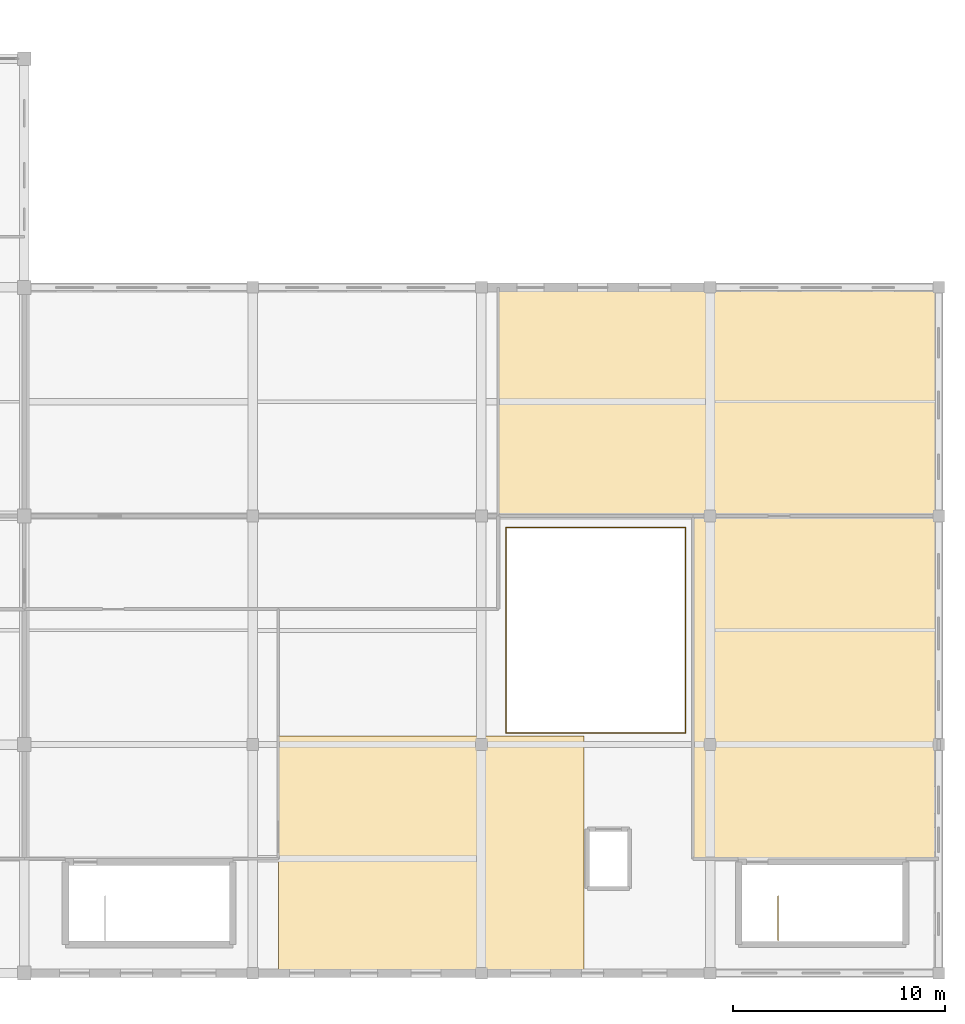
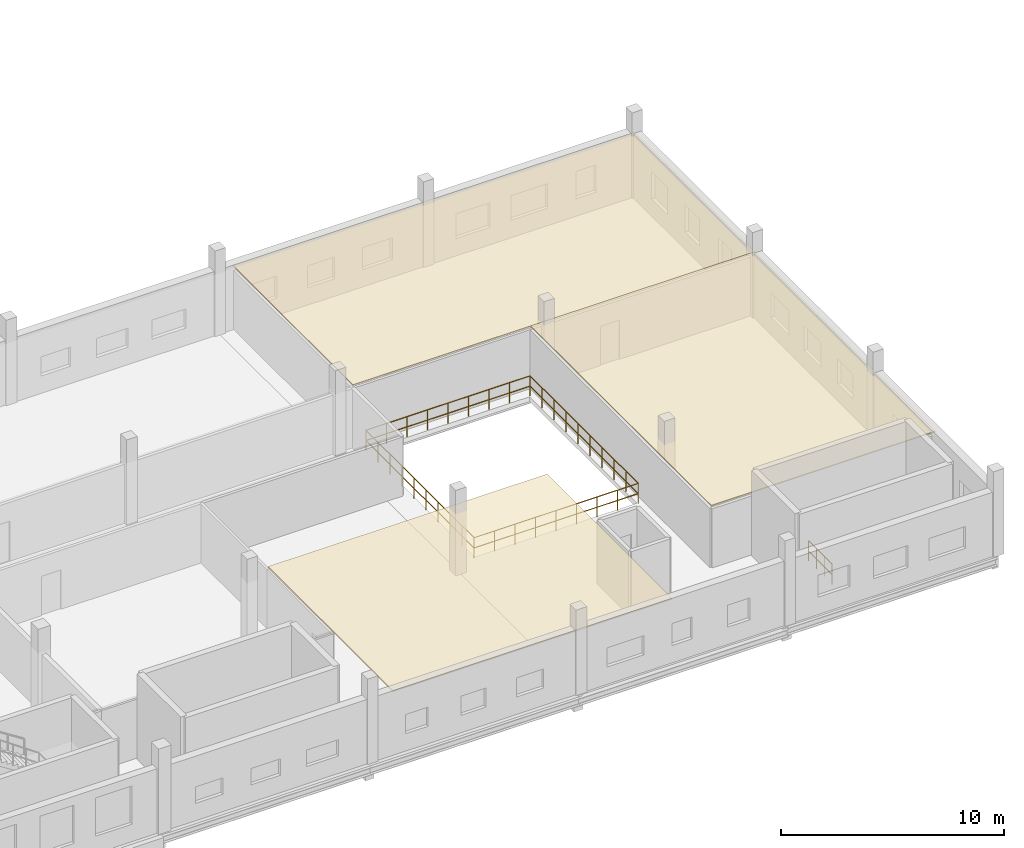
# One storey, part 24 of 24: 3 coverings, 2 railings.
"""IFC4 building model written with IfcOpenShell, lengths in metres."""

from ifc_helpers import new_model, si_unit, direction, frame, origin, origin_2d, place, context, subcontext, project, spatial, polyline, circle, outline, extrude, material, layer, layer_set, type_object, element, save


model = new_model("IFC4")

# Units and contexts
model_context = context("Model", 3, precision=1e-05, world=origin(), true_north=direction((0.0, 1.0)))
body_context = subcontext(model_context, "Body", "Model", "MODEL_VIEW")
ifc_project = project(units=[si_unit("LENGTHUNIT", "METRE"), si_unit("AREAUNIT", "SQUARE_METRE"), si_unit("VOLUMEUNIT", "CUBIC_METRE"), si_unit("PLANEANGLEUNIT", "RADIAN"), si_unit("MASSUNIT", "GRAM", prefix="KILO")], contexts=[model_context])

# Site, building, storey
site_placement = place(None, origin())
site = spatial("IfcSite", under=ifc_project, at=site_placement, CompositionType="ELEMENT")
building_placement = place(site_placement, origin())
building = spatial("IfcBuilding", under=site, at=building_placement, Name="Zwinboog Wholesale Market", CompositionType="ELEMENT")
storey_placement = place(building_placement, frame((0.0, 0.0, 10.080078125)))
storey = spatial("IfcBuildingStorey", under=building, at=storey_placement, Name="L02", CompositionType="ELEMENT", Elevation=10.080078125)

# Railings
ifc_material_1 = material(Name="Steel S355", Category="steel")
railing_type = type_object("IfcRailingType", Name="RLT-INT-GUARD", PredefinedType="BALUSTRADE", material=ifc_material_1)
railing_1_placement = place(storey_placement, frame((208.419921875, 3.639892578125, 0.0)))
element("IfcRailing", 1, at=railing_1_placement, inside=storey, type_object=railing_type, Name="GR-02 (RLG-ST-08B-GTOP)", PredefinedType="BALUSTRADE", context=body_context, shape_type="SweptSolid", body=[
    extrude(circle(Radius=0.02392578125, at=origin_2d()), frame((0.0, 0.0, 1.09619140625), z_axis=(0.0, -1.0, 0.0), x_axis=(1.0, 0.0, 0.0)), (0.0, 0.0, 1.0), 2.099853515625),
    extrude(circle(Radius=0.02392578125, at=origin_2d()), frame((0.0, 0.0, 0.5361328125), z_axis=(0.0, -1.0, 0.0), x_axis=(1.0, 0.0, 0.0)), (0.0, 0.0, 1.0), 2.099853515625),
    extrude(circle(Radius=0.02099609375, at=origin_2d()), origin(), (0.0, 0.0, 1.0), 1.072021484375),
    extrude(circle(Radius=0.02099609375, at=origin_2d()), frame((0.0, -0.699951171875, 0.0)), (0.0, 0.0, 1.0), 1.072021484375),
    extrude(circle(Radius=0.02099609375, at=origin_2d()), frame((0.0, -1.39990234375, 0.0)), (0.0, 0.0, 1.0), 1.072021484375),
    extrude(circle(Radius=0.02099609375, at=origin_2d()), frame((0.0, -2.099853515625, 0.0)), (0.0, 0.0, 1.0), 1.072021484375),
])
railing_2_placement = place(storey_placement, frame((195.550048828125, 11.35009765625, 0.0)))
element("IfcRailing", 2, at=railing_2_placement, inside=storey, type_object=railing_type, Name="GR-02 (RLG-VOID-04)", PredefinedType="BALUSTRADE", context=body_context, shape_type="SweptSolid", body=[
    extrude(circle(Radius=0.02392578125, at=origin_2d()), frame((0.0, 0.0, 1.09619140625), z_axis=(1.0, 0.0, 0.0), x_axis=(0.0, 1.0, 0.0)), (0.0, 0.0, 1.0), 8.5),
    extrude(circle(Radius=0.02392578125, at=origin_2d()), frame((0.0, 0.0, 0.5361328125), z_axis=(1.0, 0.0, 0.0), x_axis=(0.0, 1.0, 0.0)), (0.0, 0.0, 1.0), 8.5),
    extrude(circle(Radius=0.02392578125, at=origin_2d()), frame((8.5, 0.0, 1.09619140625), z_axis=(0.0, 1.0, 0.0), x_axis=(-1.0, 0.0, 0.0)), (0.0, 0.0, 1.0), 9.699951171875),
    extrude(circle(Radius=0.02392578125, at=origin_2d()), frame((8.5, 0.0, 0.5361328125), z_axis=(0.0, 1.0, 0.0), x_axis=(-1.0, 0.0, 0.0)), (0.0, 0.0, 1.0), 9.699951171875),
    extrude(circle(Radius=0.02392578125, at=origin_2d()), frame((8.5, 9.699951171875, 1.09619140625), z_axis=(-1.0, 0.0, 0.0), x_axis=(0.0, -1.0, 0.0)), (0.0, 0.0, 1.0), 8.5),
    extrude(circle(Radius=0.02392578125, at=origin_2d()), frame((8.5, 9.699951171875, 0.5361328125), z_axis=(-1.0, 0.0, 0.0), x_axis=(0.0, -1.0, 0.0)), (0.0, 0.0, 1.0), 8.5),
    extrude(circle(Radius=0.02392578125, at=origin_2d()), frame((0.0, 9.699951171875, 1.09619140625), z_axis=(0.0, -1.0, 0.0), x_axis=(1.0, 0.0, 0.0)), (0.0, 0.0, 1.0), 9.699951171875),
    extrude(circle(Radius=0.02392578125, at=origin_2d()), frame((0.0, 9.699951171875, 0.5361328125), z_axis=(0.0, -1.0, 0.0), x_axis=(1.0, 0.0, 0.0)), (0.0, 0.0, 1.0), 9.699951171875),
    extrude(circle(Radius=0.02099609375, at=origin_2d()), origin(), (0.0, 0.0, 1.0), 1.072021484375),
    extrude(circle(Radius=0.02099609375, at=origin_2d()), frame((1.0625, 0.0, 0.0)), (0.0, 0.0, 1.0), 1.072021484375),
    extrude(circle(Radius=0.02099609375, at=origin_2d()), frame((2.125, 0.0, 0.0)), (0.0, 0.0, 1.0), 1.072021484375),
    extrude(circle(Radius=0.02099609375, at=origin_2d()), frame((3.1875, 0.0, 0.0)), (0.0, 0.0, 1.0), 1.072021484375),
    extrude(circle(Radius=0.02099609375, at=origin_2d()), frame((4.25, 0.0, 0.0)), (0.0, 0.0, 1.0), 1.072021484375),
    extrude(circle(Radius=0.02099609375, at=origin_2d()), frame((5.3125, 0.0, 0.0)), (0.0, 0.0, 1.0), 1.072021484375),
    extrude(circle(Radius=0.02099609375, at=origin_2d()), frame((6.375, 0.0, 0.0)), (0.0, 0.0, 1.0), 1.072021484375),
    extrude(circle(Radius=0.02099609375, at=origin_2d()), frame((7.4375, 0.0, 0.0)), (0.0, 0.0, 1.0), 1.072021484375),
    extrude(circle(Radius=0.02099609375, at=origin_2d()), frame((8.5, 0.0, 0.0)), (0.0, 0.0, 1.0), 1.072021484375),
    extrude(circle(Radius=0.02099609375, at=origin_2d()), frame((8.5, 1.077880859375, 0.0)), (0.0, 0.0, 1.0), 1.072021484375),
    extrude(circle(Radius=0.02099609375, at=origin_2d()), frame((8.5, 2.155517578125, 0.0)), (0.0, 0.0, 1.0), 1.072021484375),
    extrude(circle(Radius=0.02099609375, at=origin_2d()), frame((8.5, 3.2333984375, 0.0)), (0.0, 0.0, 1.0), 1.072021484375),
    extrude(circle(Radius=0.02099609375, at=origin_2d()), frame((8.5, 4.31103515625, 0.0)), (0.0, 0.0, 1.0), 1.072021484375),
    extrude(circle(Radius=0.02099609375, at=origin_2d()), frame((8.5, 5.388916015625, 0.0)), (0.0, 0.0, 1.0), 1.072021484375),
    extrude(circle(Radius=0.02099609375, at=origin_2d()), frame((8.5, 6.466552734375, 0.0)), (0.0, 0.0, 1.0), 1.072021484375),
    extrude(circle(Radius=0.02099609375, at=origin_2d()), frame((8.5, 7.54443359375, 0.0)), (0.0, 0.0, 1.0), 1.072021484375),
    extrude(circle(Radius=0.02099609375, at=origin_2d()), frame((8.5, 8.6220703125, 0.0)), (0.0, 0.0, 1.0), 1.072021484375),
    extrude(circle(Radius=0.02099609375, at=origin_2d()), frame((8.5, 9.699951171875, 0.0)), (0.0, 0.0, 1.0), 1.072021484375),
    extrude(circle(Radius=0.02099609375, at=origin_2d()), frame((7.4375, 9.699951171875, 0.0)), (0.0, 0.0, 1.0), 1.072021484375),
    extrude(circle(Radius=0.02099609375, at=origin_2d()), frame((6.375, 9.699951171875, 0.0)), (0.0, 0.0, 1.0), 1.072021484375),
    extrude(circle(Radius=0.02099609375, at=origin_2d()), frame((5.3125, 9.699951171875, 0.0)), (0.0, 0.0, 1.0), 1.072021484375),
    extrude(circle(Radius=0.02099609375, at=origin_2d()), frame((4.25, 9.699951171875, 0.0)), (0.0, 0.0, 1.0), 1.072021484375),
    extrude(circle(Radius=0.02099609375, at=origin_2d()), frame((3.1875, 9.699951171875, 0.0)), (0.0, 0.0, 1.0), 1.072021484375),
    extrude(circle(Radius=0.02099609375, at=origin_2d()), frame((2.125, 9.699951171875, 0.0)), (0.0, 0.0, 1.0), 1.072021484375),
    extrude(circle(Radius=0.02099609375, at=origin_2d()), frame((1.0625, 9.699951171875, 0.0)), (0.0, 0.0, 1.0), 1.072021484375),
    extrude(circle(Radius=0.02099609375, at=origin_2d()), frame((0.0, 9.699951171875, 0.0)), (0.0, 0.0, 1.0), 1.072021484375),
    extrude(circle(Radius=0.02099609375, at=origin_2d()), frame((0.0, 8.6220703125, 0.0)), (0.0, 0.0, 1.0), 1.072021484375),
    extrude(circle(Radius=0.02099609375, at=origin_2d()), frame((0.0, 7.54443359375, 0.0)), (0.0, 0.0, 1.0), 1.072021484375),
    extrude(circle(Radius=0.02099609375, at=origin_2d()), frame((0.0, 6.466552734375, 0.0)), (0.0, 0.0, 1.0), 1.072021484375),
    extrude(circle(Radius=0.02099609375, at=origin_2d()), frame((0.0, 5.388916015625, 0.0)), (0.0, 0.0, 1.0), 1.072021484375),
    extrude(circle(Radius=0.02099609375, at=origin_2d()), frame((0.0, 4.31103515625, 0.0)), (0.0, 0.0, 1.0), 1.072021484375),
    extrude(circle(Radius=0.02099609375, at=origin_2d()), frame((0.0, 3.2333984375, 0.0)), (0.0, 0.0, 1.0), 1.072021484375),
    extrude(circle(Radius=0.02099609375, at=origin_2d()), frame((0.0, 2.155517578125, 0.0)), (0.0, 0.0, 1.0), 1.072021484375),
    extrude(circle(Radius=0.02099609375, at=origin_2d()), frame((0.0, 1.077880859375, 0.0)), (0.0, 0.0, 1.0), 1.072021484375),
])

# Coverings
ifc_material_2 = material(Name="Western red cedar acoustic baffle ceiling", Category="wood")
ifc_layer_1 = layer(ifc_material_2, 0.080078125)
ifc_layer_set_1 = layer_set([ifc_layer_1], Name="Western red cedar acoustic baffle ceiling")
covering_type_1 = type_object("IfcCoveringType", Name="COV-CEIL-CEDAR", PredefinedType="CEILING", material=ifc_layer_set_1)
covering_1_placement = place(storey_placement, frame((0.0, 0.0, 3.2998046875)))
element("IfcCovering", 3, at=covering_1_placement, inside=storey, type_object=covering_type_1, Name="CL-01 (COV-CL-L02-045)", PredefinedType="CEILING", context=body_context, shape_type="SweptSolid", body=[
    extrude(outline(polyline([(184.800048828125, 0.0), (199.25, 0.0), (199.25, 11.199951171875), (184.800048828125, 11.199951171875), (184.800048828125, 0.0)])), origin(), (0.0, 0.0, 1.0), 0.080078125),
])
ifc_material_3 = material(Name="Hygienic washable acoustic gypsum ceiling")
ifc_layer_2 = layer(ifc_material_3, 0.050048828125)
ifc_layer_set_2 = layer_set([ifc_layer_2], Name="Hygienic washable acoustic gypsum ceiling")
covering_type_2 = type_object("IfcCoveringType", Name="COV-CEIL-HYG", PredefinedType="CEILING", material=ifc_layer_set_2)
covering_2_placement = place(storey_placement, frame((0.0, 0.0, 3.329833984375)))
element("IfcCovering", 4, at=covering_2_placement, inside=storey, type_object=covering_type_2, Name="CL-02 (COV-CL-L02-043)", PredefinedType="CEILING", context=body_context, shape_type="SweptSolid", body=[
    extrude(outline(polyline([(204.39990234375, 5.39990234375), (216.0, 5.39990234375), (216.0, 21.60009765625), (204.39990234375, 21.60009765625), (204.39990234375, 5.39990234375)])), origin(), (0.0, 0.0, 1.0), 0.050048828125),
])
covering_3_placement = place(storey_placement, frame((0.0, 0.0, 3.329833984375)))
element("IfcCovering", 5, at=covering_3_placement, inside=storey, type_object=covering_type_2, Name="CL-02 (COV-CL-L02-047)", PredefinedType="CEILING", context=body_context, shape_type="SweptSolid", body=[
    extrude(outline(polyline([(195.199951171875, 21.60009765625), (216.0, 21.60009765625), (216.0, 32.39990234375), (195.199951171875, 32.39990234375), (195.199951171875, 21.60009765625)])), origin(), (0.0, 0.0, 1.0), 0.050048828125),
])

save(model, "model.ifc")
